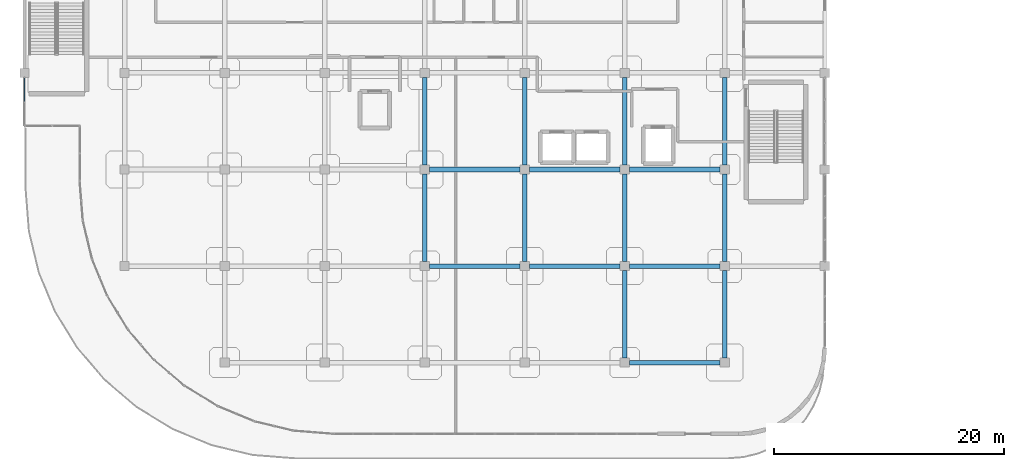
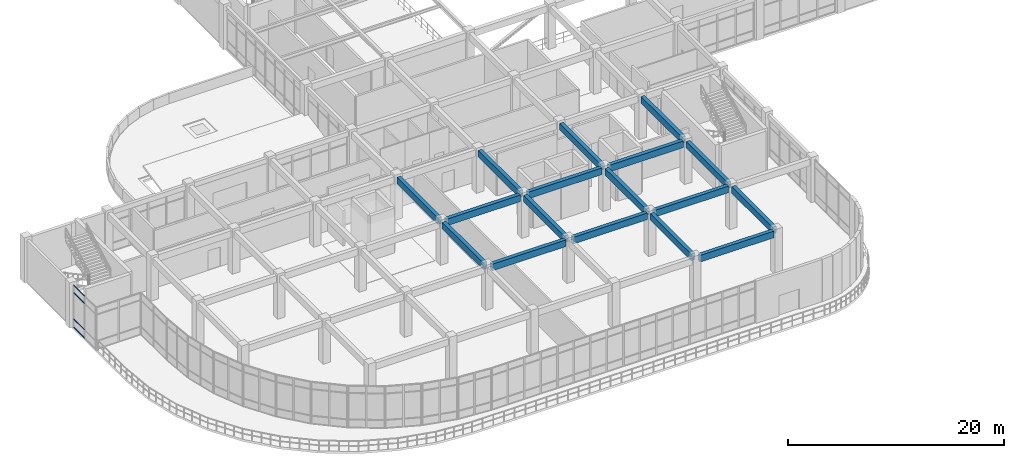
# One storey, part 14 of 124: 17 beams, 4 members, 1 element without a shape of its own.
"""IFC4 building model written with IfcOpenShell, lengths in metres."""

from ifc_helpers import new_model, si_unit, derived_unit, direction, frame, origin, origin_2d, place, context, subcontext, project, spatial, rectangle, hollow_rectangle, extrude, material, layer, layer_set, material_profile, profile_set, type_object, element, aggregate, save


model = new_model("IFC4")

# Units and contexts
model_context = context("Model", 3, precision=1e-05, world=origin(), true_north=direction((0.0, 1.0)))
body_context = subcontext(model_context, "Body", "Model", "MODEL_VIEW")
ifc_project = project(units=[si_unit("LENGTHUNIT", "METRE"), si_unit("AREAUNIT", "SQUARE_METRE"), si_unit("VOLUMEUNIT", "CUBIC_METRE"), si_unit("PLANEANGLEUNIT", "RADIAN"), si_unit("MASSUNIT", "GRAM", prefix="KILO"), derived_unit("THERMALTRANSMITTANCEUNIT", [(si_unit("MASSUNIT", "GRAM", prefix="KILO"), 1), (si_unit("TIMEUNIT", "SECOND"), -3), (si_unit("THERMODYNAMICTEMPERATUREUNIT", "KELVIN"), -1)])], contexts=[model_context])

# Site, building, storey
site_placement = place(None, origin())
site = spatial("IfcSite", under=ifc_project, at=site_placement, CompositionType="ELEMENT")
building_placement = place(site_placement, origin())
building = spatial("IfcBuilding", under=site, at=building_placement, Name="Qinzheling Arcade Emporium", CompositionType="ELEMENT")
storey_placement = place(building_placement, frame((0.0, 0.0, 16.5)))
storey = spatial("IfcBuildingStorey", under=building, at=storey_placement, Name="L04", CompositionType="ELEMENT", Elevation=16.5)

# Curtain wall, members
ifc_material_1 = material(Name="Anodised aluminium and solar-control double glazing", Category="aluminium")
ifc_layer = layer(ifc_material_1, 0.159912109375, Name="Anodised aluminium and solar-control double glazing", Category="aluminium")
ifc_layer_set = layer_set([ifc_layer], Name="Anodised aluminium and solar-control double glazing")
curtain_wall_type = type_object("IfcCurtainWallType", Name="Arcade Portal Glazed Curtain Wall", PredefinedType="NOTDEFINED", material=ifc_layer_set)
curtain_wall_placement = place(storey_placement, origin())
curtain_wall = element("IfcCurtainWall", 1, at=curtain_wall_placement, inside=storey, type_object=curtain_wall_type, Name="Curtain Wall CW-L04-237", PredefinedType="NOTDEFINED")
ifc_material_2 = material(Name="Anodised aluminium 6063-T6", Category="aluminium")
ifc_material_profile_1 = material_profile(ifc_material_2, hollow_rectangle(XDim=0.06005859375, YDim=0.1201171875, WallThickness=0.00390625, InnerFilletRadius=0.00390625, OuterFilletRadius=0.008056640625, at=origin_2d()), Name="RHS 120x60x4", Category="aluminium")
ifc_profile_set_1 = profile_set([ifc_material_profile_1], Name="Anodised aluminium 6063-T6")
member_type = type_object("IfcMemberType", Name="Curtain Wall Transom RHS120x60", PredefinedType="USERDEFINED", material=ifc_profile_set_1)
member_1_placement = place(storey_placement, frame((0.0, 31.12890625, 0.030029296875), z_axis=(0.0, 1.0, 0.0), x_axis=(-1.0, 0.0, 0.0)))
member_1 = element("IfcMember", 2, at=member_1_placement, type_object=member_type, Name="CW05 transom 2.1", ObjectType="TRANSOM", PredefinedType="USERDEFINED", context=body_context, shape_type="SweptSolid", body=[
    extrude(hollow_rectangle(XDim=0.06005859375, YDim=0.1201171875, WallThickness=0.00390625, InnerFilletRadius=0.00390625, OuterFilletRadius=0.008056640625, at=origin_2d()), origin(), (0.0, 0.0, 1.0), 2.009033203125),
])
member_2_placement = place(storey_placement, frame((0.0, 31.12890625, 0.949951171875), z_axis=(0.0, 1.0, 0.0), x_axis=(-1.0, 0.0, 0.0)))
member_2 = element("IfcMember", 3, at=member_2_placement, type_object=member_type, Name="CW05 transom 2.2", ObjectType="TRANSOM", PredefinedType="USERDEFINED", context=body_context, shape_type="SweptSolid", body=[
    extrude(hollow_rectangle(XDim=0.06005859375, YDim=0.1201171875, WallThickness=0.00390625, InnerFilletRadius=0.00390625, OuterFilletRadius=0.008056640625, at=origin_2d()), origin(), (0.0, 0.0, 1.0), 2.009033203125),
])
member_3_placement = place(storey_placement, frame((0.0, 31.12890625, 3.93994140625), z_axis=(0.0, 1.0, 0.0), x_axis=(-1.0, 0.0, 0.0)))
member_3 = element("IfcMember", 4, at=member_3_placement, type_object=member_type, Name="CW05 transom 2.3", ObjectType="TRANSOM", PredefinedType="USERDEFINED", context=body_context, shape_type="SweptSolid", body=[
    extrude(hollow_rectangle(XDim=0.06005859375, YDim=0.1201171875, WallThickness=0.00390625, InnerFilletRadius=0.00390625, OuterFilletRadius=0.008056640625, at=origin_2d()), origin(), (0.0, 0.0, 1.0), 2.009033203125),
])
member_4_placement = place(storey_placement, frame((0.0, 31.12890625, 4.760009765625), z_axis=(0.0, 1.0, 0.0), x_axis=(-1.0, 0.0, 0.0)))
member_4 = element("IfcMember", 5, at=member_4_placement, type_object=member_type, Name="CW05 transom 2.4", ObjectType="TRANSOM", PredefinedType="USERDEFINED", context=body_context, shape_type="SweptSolid", body=[
    extrude(hollow_rectangle(XDim=0.06005859375, YDim=0.1201171875, WallThickness=0.00390625, InnerFilletRadius=0.00390625, OuterFilletRadius=0.008056640625, at=origin_2d()), origin(), (0.0, 0.0, 1.0), 2.009033203125),
])
aggregate(curtain_wall, [member_1, member_2, member_3, member_4])

# Beams
ifc_material_3 = material(Name="Concrete C40", Category="concrete")
ifc_material_profile_2 = material_profile(ifc_material_3, rectangle(XDim=0.39990234375, YDim=0.75, at=origin_2d()), Name="RC 400x750", Category="concrete")
ifc_profile_set_2 = profile_set([ifc_material_profile_2], Name="Concrete C40")
beam_type = type_object("IfcBeamType", Name="RC Interior Tie Beam 400x750 C40", PredefinedType="BEAM", material=ifc_profile_set_2)
beam_1_placement = place(storey_placement, frame((52.60009765625, 8.39990234375, 4.445068359375), z_axis=(1.0, 0.0, 0.0), x_axis=(0.0, 1.0, 0.0)))
element("IfcBeam", 6, at=beam_1_placement, inside=storey, type_object=beam_type, Name="Beam BM-L04-X-B-7", PredefinedType="BEAM", context=body_context, shape_type="SweptSolid", body=[
    extrude(rectangle(XDim=0.39990234375, YDim=0.75, at=origin_2d()), origin(), (0.0, 0.0, 1.0), 7.89990234375),
])
for number, where, z_axis, x_axis, name in (
    (7, (35.199951171875, 16.800048828125, 4.445068359375), (1.0, 0.0, 0.0), (0.0, 1.0, 0.0), "Beam BM-L04-X-C-5"),
    (8, (43.89990234375, 16.800048828125, 4.445068359375), (1.0, 0.0, 0.0), (0.0, 1.0, 0.0), "Beam BM-L04-X-C-6"),
):
    element("IfcBeam", number, at=place(storey_placement, frame(where, z_axis=z_axis, x_axis=x_axis)), inside=storey, type_object=beam_type, Name=name, PredefinedType="BEAM", context=body_context, shape_type="SweptSolid", body=[
        extrude(rectangle(XDim=0.39990234375, YDim=0.75, at=origin_2d()), origin(), (0.0, 0.0, 1.0), 7.900146484375),
    ])
beam_2_placement = place(storey_placement, frame((52.60009765625, 16.800048828125, 4.445068359375), z_axis=(1.0, 0.0, 0.0), x_axis=(0.0, 1.0, 0.0)))
element("IfcBeam", 9, at=beam_2_placement, inside=storey, type_object=beam_type, Name="Beam BM-L04-X-C-7", PredefinedType="BEAM", context=body_context, shape_type="SweptSolid", body=[
    extrude(rectangle(XDim=0.39990234375, YDim=0.75, at=origin_2d()), origin(), (0.0, 0.0, 1.0), 7.89990234375),
])
for number, where, z_axis, x_axis, name in (
    (10, (35.199951171875, 25.199951171875, 4.445068359375), (1.0, 0.0, 0.0), (0.0, 1.0, 0.0), "Beam BM-L04-X-D-5"),
    (11, (43.89990234375, 25.199951171875, 4.445068359375), (1.0, 0.0, 0.0), (0.0, 1.0, 0.0), "Beam BM-L04-X-D-6"),
):
    element("IfcBeam", number, at=place(storey_placement, frame(where, z_axis=z_axis, x_axis=x_axis)), inside=storey, type_object=beam_type, Name=name, PredefinedType="BEAM", context=body_context, shape_type="SweptSolid", body=[
        extrude(rectangle(XDim=0.39990234375, YDim=0.75, at=origin_2d()), origin(), (0.0, 0.0, 1.0), 7.900146484375),
    ])
beam_3_placement = place(storey_placement, frame((52.60009765625, 25.199951171875, 4.445068359375), z_axis=(1.0, 0.0, 0.0), x_axis=(0.0, 1.0, 0.0)))
element("IfcBeam", 12, at=beam_3_placement, inside=storey, type_object=beam_type, Name="Beam BM-L04-X-D-7", PredefinedType="BEAM", context=body_context, shape_type="SweptSolid", body=[
    extrude(rectangle(XDim=0.39990234375, YDim=0.75, at=origin_2d()), origin(), (0.0, 0.0, 1.0), 7.89990234375),
])
beam_4_placement = place(storey_placement, frame((34.800048828125, 17.199951171875, 4.445068359375), z_axis=(0.0, 1.0, 0.0), x_axis=(-1.0, 0.0, 0.0)))
element("IfcBeam", 13, at=beam_4_placement, inside=storey, type_object=beam_type, Name="Beam BM-L04-Y-5-C", PredefinedType="BEAM", context=body_context, shape_type="SweptSolid", body=[
    extrude(rectangle(XDim=0.39990234375, YDim=0.75, at=origin_2d()), origin(), (0.0, 0.0, 1.0), 7.60009765625),
])
beam_5_placement = place(storey_placement, frame((34.800048828125, 25.60009765625, 4.445068359375), z_axis=(0.0, 1.0, 0.0), x_axis=(-1.0, 0.0, 0.0)))
element("IfcBeam", 14, at=beam_5_placement, inside=storey, type_object=beam_type, Name="Beam BM-L04-Y-5-D", PredefinedType="BEAM", context=body_context, shape_type="SweptSolid", body=[
    extrude(rectangle(XDim=0.39990234375, YDim=0.75, at=origin_2d()), origin(), (0.0, 0.0, 1.0), 7.599853515625),
])
beam_6_placement = place(storey_placement, frame((43.5, 17.199951171875, 4.445068359375), z_axis=(0.0, 1.0, 0.0), x_axis=(-1.0, 0.0, 0.0)))
element("IfcBeam", 15, at=beam_6_placement, inside=storey, type_object=beam_type, Name="Beam BM-L04-Y-6-C", PredefinedType="BEAM", context=body_context, shape_type="SweptSolid", body=[
    extrude(rectangle(XDim=0.39990234375, YDim=0.75, at=origin_2d()), origin(), (0.0, 0.0, 1.0), 7.60009765625),
])
for number, where, z_axis, x_axis, name in (
    (16, (43.5, 25.60009765625, 4.445068359375), (0.0, 1.0, 0.0), (-1.0, 0.0, 0.0), "Beam BM-L04-Y-6-D"),
    (17, (52.199951171875, 8.800048828125, 4.445068359375), (0.0, 1.0, 0.0), (-1.0, 0.0, 0.0), "Beam BM-L04-Y-7-B"),
):
    element("IfcBeam", number, at=place(storey_placement, frame(where, z_axis=z_axis, x_axis=x_axis)), inside=storey, type_object=beam_type, Name=name, PredefinedType="BEAM", context=body_context, shape_type="SweptSolid", body=[
        extrude(rectangle(XDim=0.39990234375, YDim=0.75, at=origin_2d()), origin(), (0.0, 0.0, 1.0), 7.599853515625),
    ])
beam_7_placement = place(storey_placement, frame((52.199951171875, 17.199951171875, 4.445068359375), z_axis=(0.0, 1.0, 0.0), x_axis=(-1.0, 0.0, 0.0)))
element("IfcBeam", 18, at=beam_7_placement, inside=storey, type_object=beam_type, Name="Beam BM-L04-Y-7-C", PredefinedType="BEAM", context=body_context, shape_type="SweptSolid", body=[
    extrude(rectangle(XDim=0.39990234375, YDim=0.75, at=origin_2d()), origin(), (0.0, 0.0, 1.0), 7.60009765625),
])
for number, where, z_axis, x_axis, name in (
    (19, (52.199951171875, 25.60009765625, 4.445068359375), (0.0, 1.0, 0.0), (-1.0, 0.0, 0.0), "Beam BM-L04-Y-7-D"),
    (20, (60.89990234375, 8.800048828125, 4.445068359375), (0.0, 1.0, 0.0), (-1.0, 0.0, 0.0), "Beam BM-L04-Y-8-B"),
):
    element("IfcBeam", number, at=place(storey_placement, frame(where, z_axis=z_axis, x_axis=x_axis)), inside=storey, type_object=beam_type, Name=name, PredefinedType="BEAM", context=body_context, shape_type="SweptSolid", body=[
        extrude(rectangle(XDim=0.39990234375, YDim=0.75, at=origin_2d()), origin(), (0.0, 0.0, 1.0), 7.599853515625),
    ])
beam_8_placement = place(storey_placement, frame((60.89990234375, 17.199951171875, 4.445068359375), z_axis=(0.0, 1.0, 0.0), x_axis=(-1.0, 0.0, 0.0)))
element("IfcBeam", 21, at=beam_8_placement, inside=storey, type_object=beam_type, Name="Beam BM-L04-Y-8-C", PredefinedType="BEAM", context=body_context, shape_type="SweptSolid", body=[
    extrude(rectangle(XDim=0.39990234375, YDim=0.75, at=origin_2d()), origin(), (0.0, 0.0, 1.0), 7.60009765625),
])
beam_9_placement = place(storey_placement, frame((60.89990234375, 25.60009765625, 4.445068359375), z_axis=(0.0, 1.0, 0.0), x_axis=(-1.0, 0.0, 0.0)))
element("IfcBeam", 22, at=beam_9_placement, inside=storey, type_object=beam_type, Name="Beam BM-L04-Y-8-D", PredefinedType="BEAM", context=body_context, shape_type="SweptSolid", body=[
    extrude(rectangle(XDim=0.39990234375, YDim=0.75, at=origin_2d()), origin(), (0.0, 0.0, 1.0), 7.599853515625),
])

save(model, "model.ifc")
